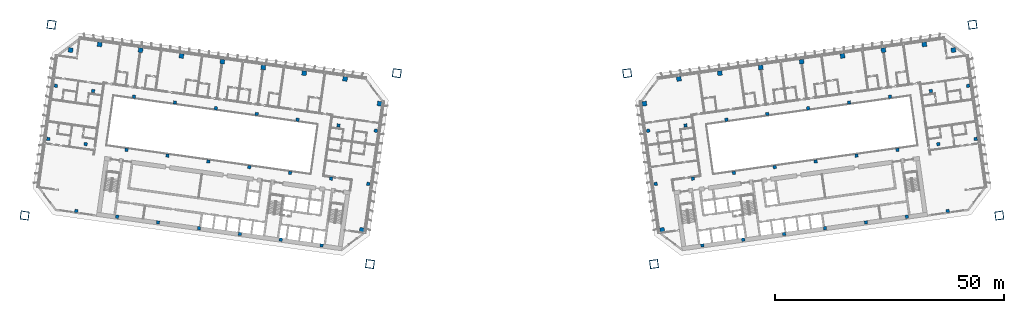
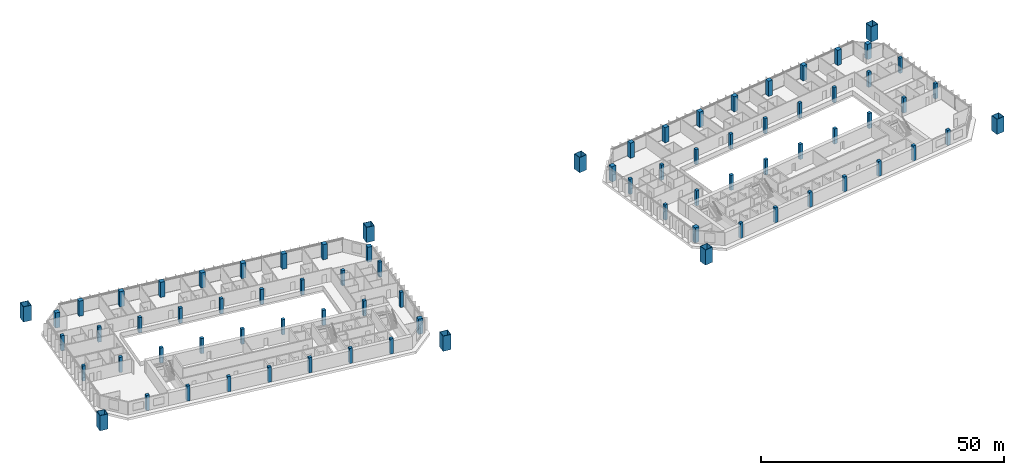
# One storey, part 1 of 24: 78 columns.
"""IFC4 building model written with IfcOpenShell, lengths in metres."""

from ifc_helpers import new_model, si_unit, direction, frame, origin, origin_2d, place, context, subcontext, project, spatial, rectangle, hollow_rectangle, extrude, material, material_profile, profile_set, type_object, element, save


model = new_model("IFC4")

# Units and contexts
model_context = context("Model", 3, precision=1e-05, world=origin(), true_north=direction((0.0, 1.0)))
body_context = subcontext(model_context, "Body", "Model", "MODEL_VIEW")
ifc_project = project(units=[si_unit("LENGTHUNIT", "METRE"), si_unit("AREAUNIT", "SQUARE_METRE"), si_unit("VOLUMEUNIT", "CUBIC_METRE"), si_unit("PLANEANGLEUNIT", "RADIAN"), si_unit("MASSUNIT", "GRAM", prefix="KILO")], contexts=[model_context])

# Site, building, storey
site_placement = place(None, origin())
site = spatial("IfcSite", under=ifc_project, at=site_placement, CompositionType="ELEMENT")
building_placement = place(site_placement, origin())
building = spatial("IfcBuilding", under=site, at=building_placement, Name="Mirante Cascada Hotel Towers", CompositionType="ELEMENT")
storey_placement = place(building_placement, frame((0.0, 0.0, 50.9)))
storey = spatial("IfcBuildingStorey", under=building, at=storey_placement, Name="L09", CompositionType="ELEMENT", Elevation=50.9)

# Columns
ifc_material_1 = material(Name="Steel ASTM A572 Gr 50", Category="steel")
ifc_material_profile_1 = material_profile(ifc_material_1, hollow_rectangle(XDim=1.8, YDim=1.8, WallThickness=0.08, at=origin_2d()), Name="Box column 1800x1800x80 ASTM A572 Gr 50")
ifc_profile_set_1 = profile_set([ifc_material_profile_1], Name="Steel ASTM A572 Gr 50")
column_type_1 = type_object("IfcColumnType", Name="Box column 1800x1800x80 ASTM A572 Gr 50", PredefinedType="COLUMN", material=ifc_profile_set_1)
for number, where, z_axis, x_axis, name in (
    (1, (-25.0968, 18.5173, 0.0), (0.0, 0.0, 1.0), (-0.9902681, 0.1391731, 0.0), "Mega column MC1 T1 L09"),
    (2, (-30.9421, -23.074, 0.0), (0.0, 0.0, 1.0), (-0.9902681, 0.1391731, 0.0), "Mega column MC2 T1 L09"),
    (3, (-100.3572, 29.0944, 0.0), (0.0, 0.0, 1.0), (-0.9902681, 0.1391731, 0.0), "Mega column MC3 T1 L09"),
    (4, (-106.2025, -12.4968, 0.0), (0.0, 0.0, 1.0), (-0.9902681, 0.1391731, 0.0), "Mega column MC4 T1 L09"),
    (5, (25.0968, 18.5173, 0.0), (0.0, 0.0, 1.0), (0.9902681, 0.1391731, 0.0), "Mega column MC1 T2 L09"),
    (6, (30.9421, -23.074, 0.0), (0.0, 0.0, 1.0), (0.9902681, 0.1391731, 0.0), "Mega column MC2 T2 L09"),
    (7, (100.3572, 29.0944, 0.0), (0.0, 0.0, 1.0), (0.9902681, 0.1391731, 0.0), "Mega column MC3 T2 L09"),
    (8, (106.2025, -12.4968, 0.0), (0.0, 0.0, 1.0), (0.9902681, 0.1391731, 0.0), "Mega column MC4 T2 L09"),
):
    element("IfcColumn", number, at=place(storey_placement, frame(where, z_axis=z_axis, x_axis=x_axis)), inside=storey, type_object=column_type_1, Name=name, PredefinedType="COLUMN", context=body_context, shape_type="SweptSolid", body=[
        extrude(hollow_rectangle(XDim=1.8, YDim=1.8, WallThickness=0.08, at=origin_2d()), origin(), (0.0, 0.0, 1.0), 3.8),
    ])
ifc_material_2 = material(Name="Concrete C60/75", Category="concrete")
ifc_material_profile_2 = material_profile(ifc_material_2, rectangle(XDim=1.0, YDim=1.0, at=origin_2d()), Name="RC column 1000x1000 C60/75")
ifc_profile_set_2 = profile_set([ifc_material_profile_2], Name="Concrete C60/75")
column_type_2 = type_object("IfcColumnType", Name="RC column 1000x1000 C60/75", PredefinedType="COLUMN", material=ifc_profile_set_2)
for number, where, z_axis, x_axis, name in (
    (9, (-28.8577, 11.8761, 0.0), (0.0, 0.0, 1.0), (-0.9902681, 0.1391731, 0.0), "Column T1 L09 1"),
    (10, (-32.7267, -15.6534, 0.0), (0.0, 0.0, 1.0), (-0.9902681, 0.1391731, 0.0), "Column T1 L09 4"),
    (11, (-36.3795, 17.2754, 0.0), (0.0, 0.0, 1.0), (-0.9902681, 0.1391731, 0.0), "Column T1 L09 5"),
    (12, (-45.2919, 18.528, 0.0), (0.0, 0.0, 1.0), (-0.9902681, 0.1391731, 0.0), "Column T1 L09 9"),
    (13, (-54.2043, 19.7806, 0.0), (0.0, 0.0, 1.0), (-0.9902681, 0.1391731, 0.0), "Column T1 L09 13"),
    (14, (-63.1167, 21.0331, 0.0), (0.0, 0.0, 1.0), (-0.9902681, 0.1391731, 0.0), "Column T1 L09 17"),
    (15, (-72.0291, 22.2857, 0.0), (0.0, 0.0, 1.0), (-0.9902681, 0.1391731, 0.0), "Column T1 L09 21"),
    (16, (-80.9415, 23.5382, 0.0), (0.0, 0.0, 1.0), (-0.9902681, 0.1391731, 0.0), "Column T1 L09 25"),
    (17, (-89.8539, 24.7908, 0.0), (0.0, 0.0, 1.0), (-0.9902681, 0.1391731, 0.0), "Column T1 L09 29"),
    (18, (-96.1868, 23.5602, 0.0), (0.0, 0.0, 1.0), (-0.9902681, 0.1391731, 0.0), "Column T1 L09 33"),
    (19, (28.8577, 11.8761, 0.0), (0.0, 0.0, 1.0), (0.9902681, 0.1391731, 0.0), "Column T2 L09 1"),
    (20, (32.7267, -15.6534, 0.0), (0.0, 0.0, 1.0), (0.9902681, 0.1391731, 0.0), "Column T2 L09 4"),
    (21, (36.3795, 17.2754, 0.0), (0.0, 0.0, 1.0), (0.9902681, 0.1391731, 0.0), "Column T2 L09 5"),
    (22, (45.2919, 18.528, 0.0), (0.0, 0.0, 1.0), (0.9902681, 0.1391731, 0.0), "Column T2 L09 9"),
    (23, (54.2043, 19.7806, 0.0), (0.0, 0.0, 1.0), (0.9902681, 0.1391731, 0.0), "Column T2 L09 13"),
    (24, (63.1167, 21.0331, 0.0), (0.0, 0.0, 1.0), (0.9902681, 0.1391731, 0.0), "Column T2 L09 17"),
    (25, (72.0291, 22.2857, 0.0), (0.0, 0.0, 1.0), (0.9902681, 0.1391731, 0.0), "Column T2 L09 21"),
    (26, (80.9415, 23.5382, 0.0), (0.0, 0.0, 1.0), (0.9902681, 0.1391731, 0.0), "Column T2 L09 25"),
    (27, (89.8539, 24.7908, 0.0), (0.0, 0.0, 1.0), (0.9902681, 0.1391731, 0.0), "Column T2 L09 29"),
    (28, (96.1868, 23.5602, 0.0), (0.0, 0.0, 1.0), (0.9902681, 0.1391731, 0.0), "Column T2 L09 33"),
):
    element("IfcColumn", number, at=place(storey_placement, frame(where, z_axis=z_axis, x_axis=x_axis)), inside=storey, type_object=column_type_2, Name=name, PredefinedType="COLUMN", context=body_context, shape_type="SweptSolid", body=[
        extrude(rectangle(XDim=1.0, YDim=1.0, at=origin_2d()), origin(), (0.0, 0.0, 1.0), 3.8),
    ])
ifc_material_3 = material(Name="Concrete C60/75", Category="concrete")
ifc_material_profile_3 = material_profile(ifc_material_3, rectangle(XDim=0.7, YDim=0.7, at=origin_2d()), Name="RC column 700x700 C60/75")
ifc_profile_set_3 = profile_set([ifc_material_profile_3], Name="Concrete C60/75")
column_type_3 = type_object("IfcColumnType", Name="RC column 700x700 C60/75", PredefinedType="COLUMN", material=ifc_profile_set_3)
for number, where, z_axis, x_axis, name in (
    (29, (-29.6858, 5.984, 0.0), (0.0, 0.0, 1.0), (-0.9902681, 0.1391731, 0.0), "Column T1 L09 2"),
    (30, (-31.3141, -5.6022, 0.0), (0.0, 0.0, 1.0), (-0.9902681, 0.1391731, 0.0), "Column T1 L09 3"),
    (31, (-37.806, 7.1252, 0.0), (0.0, 0.0, 1.0), (-0.9902681, 0.1391731, 0.0), "Column T1 L09 6"),
    (32, (-39.4343, -4.4609, 0.0), (0.0, 0.0, 1.0), (-0.9902681, 0.1391731, 0.0), "Column T1 L09 7"),
    (33, (-41.4802, -19.0179, 0.0), (0.0, 0.0, 1.0), (-0.9902681, 0.1391731, 0.0), "Column T1 L09 8"),
    (34, (-46.7184, 8.3777, 0.0), (0.0, 0.0, 1.0), (-0.9902681, 0.1391731, 0.0), "Column T1 L09 10"),
    (35, (-48.3467, -3.2084, 0.0), (0.0, 0.0, 1.0), (-0.9902681, 0.1391731, 0.0), "Column T1 L09 11"),
    (36, (-50.3926, -17.7653, 0.0), (0.0, 0.0, 1.0), (-0.9902681, 0.1391731, 0.0), "Column T1 L09 12"),
    (37, (-55.6308, 9.6303, 0.0), (0.0, 0.0, 1.0), (-0.9902681, 0.1391731, 0.0), "Column T1 L09 14"),
    (38, (-57.2591, -1.9558, 0.0), (0.0, 0.0, 1.0), (-0.9902681, 0.1391731, 0.0), "Column T1 L09 15"),
    (39, (-59.305, -16.5128, 0.0), (0.0, 0.0, 1.0), (-0.9902681, 0.1391731, 0.0), "Column T1 L09 16"),
    (40, (-64.5432, 10.8829, 0.0), (0.0, 0.0, 1.0), (-0.9902681, 0.1391731, 0.0), "Column T1 L09 18"),
    (41, (-66.1716, -0.7033, 0.0), (0.0, 0.0, 1.0), (-0.9902681, 0.1391731, 0.0), "Column T1 L09 19"),
    (42, (-68.2174, -15.2602, 0.0), (0.0, 0.0, 1.0), (-0.9902681, 0.1391731, 0.0), "Column T1 L09 20"),
    (43, (-73.4556, 12.1354, 0.0), (0.0, 0.0, 1.0), (-0.9902681, 0.1391731, 0.0), "Column T1 L09 22"),
    (44, (-75.084, 0.5493, 0.0), (0.0, 0.0, 1.0), (-0.9902681, 0.1391731, 0.0), "Column T1 L09 23"),
    (45, (-77.1298, -14.0077, 0.0), (0.0, 0.0, 1.0), (-0.9902681, 0.1391731, 0.0), "Column T1 L09 24"),
    (46, (-82.368, 13.388, 0.0), (0.0, 0.0, 1.0), (-0.9902681, 0.1391731, 0.0), "Column T1 L09 26"),
    (47, (-83.9964, 1.8018, 0.0), (0.0, 0.0, 1.0), (-0.9902681, 0.1391731, 0.0), "Column T1 L09 27"),
    (48, (-86.0422, -12.7551, 0.0), (0.0, 0.0, 1.0), (-0.9902681, 0.1391731, 0.0), "Column T1 L09 28"),
    (49, (-91.2805, 14.6405, 0.0), (0.0, 0.0, 1.0), (-0.9902681, 0.1391731, 0.0), "Column T1 L09 30"),
    (50, (-92.9088, 3.0544, 0.0), (0.0, 0.0, 1.0), (-0.9902681, 0.1391731, 0.0), "Column T1 L09 31"),
    (51, (-94.9546, -11.5025, 0.0), (0.0, 0.0, 1.0), (-0.9902681, 0.1391731, 0.0), "Column T1 L09 32"),
    (52, (-99.4007, 15.7818, 0.0), (0.0, 0.0, 1.0), (-0.9902681, 0.1391731, 0.0), "Column T1 L09 34"),
    (53, (-101.029, 4.1956, 0.0), (0.0, 0.0, 1.0), (-0.9902681, 0.1391731, 0.0), "Column T1 L09 35"),
    (54, (29.6858, 5.984, 0.0), (0.0, 0.0, 1.0), (0.9902681, 0.1391731, 0.0), "Column T2 L09 2"),
    (55, (31.3141, -5.6022, 0.0), (0.0, 0.0, 1.0), (0.9902681, 0.1391731, 0.0), "Column T2 L09 3"),
    (56, (37.806, 7.1252, 0.0), (0.0, 0.0, 1.0), (0.9902681, 0.1391731, 0.0), "Column T2 L09 6"),
    (57, (39.4343, -4.4609, 0.0), (0.0, 0.0, 1.0), (0.9902681, 0.1391731, 0.0), "Column T2 L09 7"),
    (58, (41.4802, -19.0179, 0.0), (0.0, 0.0, 1.0), (0.9902681, 0.1391731, 0.0), "Column T2 L09 8"),
    (59, (46.7184, 8.3777, 0.0), (0.0, 0.0, 1.0), (0.9902681, 0.1391731, 0.0), "Column T2 L09 10"),
    (60, (48.3467, -3.2084, 0.0), (0.0, 0.0, 1.0), (0.9902681, 0.1391731, 0.0), "Column T2 L09 11"),
    (61, (50.3926, -17.7653, 0.0), (0.0, 0.0, 1.0), (0.9902681, 0.1391731, 0.0), "Column T2 L09 12"),
    (62, (55.6308, 9.6303, 0.0), (0.0, 0.0, 1.0), (0.9902681, 0.1391731, 0.0), "Column T2 L09 14"),
    (63, (57.2591, -1.9558, 0.0), (0.0, 0.0, 1.0), (0.9902681, 0.1391731, 0.0), "Column T2 L09 15"),
    (64, (59.305, -16.5128, 0.0), (0.0, 0.0, 1.0), (0.9902681, 0.1391731, 0.0), "Column T2 L09 16"),
    (65, (64.5432, 10.8829, 0.0), (0.0, 0.0, 1.0), (0.9902681, 0.1391731, 0.0), "Column T2 L09 18"),
    (66, (66.1716, -0.7033, 0.0), (0.0, 0.0, 1.0), (0.9902681, 0.1391731, 0.0), "Column T2 L09 19"),
    (67, (68.2174, -15.2602, 0.0), (0.0, 0.0, 1.0), (0.9902681, 0.1391731, 0.0), "Column T2 L09 20"),
    (68, (73.4556, 12.1354, 0.0), (0.0, 0.0, 1.0), (0.9902681, 0.1391731, 0.0), "Column T2 L09 22"),
    (69, (75.084, 0.5493, 0.0), (0.0, 0.0, 1.0), (0.9902681, 0.1391731, 0.0), "Column T2 L09 23"),
    (70, (77.1298, -14.0077, 0.0), (0.0, 0.0, 1.0), (0.9902681, 0.1391731, 0.0), "Column T2 L09 24"),
    (71, (82.368, 13.388, 0.0), (0.0, 0.0, 1.0), (0.9902681, 0.1391731, 0.0), "Column T2 L09 26"),
    (72, (83.9964, 1.8018, 0.0), (0.0, 0.0, 1.0), (0.9902681, 0.1391731, 0.0), "Column T2 L09 27"),
    (73, (86.0422, -12.7551, 0.0), (0.0, 0.0, 1.0), (0.9902681, 0.1391731, 0.0), "Column T2 L09 28"),
    (74, (91.2805, 14.6405, 0.0), (0.0, 0.0, 1.0), (0.9902681, 0.1391731, 0.0), "Column T2 L09 30"),
    (75, (92.9088, 3.0544, 0.0), (0.0, 0.0, 1.0), (0.9902681, 0.1391731, 0.0), "Column T2 L09 31"),
    (76, (94.9546, -11.5025, 0.0), (0.0, 0.0, 1.0), (0.9902681, 0.1391731, 0.0), "Column T2 L09 32"),
    (77, (99.4007, 15.7818, 0.0), (0.0, 0.0, 1.0), (0.9902681, 0.1391731, 0.0), "Column T2 L09 34"),
    (78, (101.029, 4.1956, 0.0), (0.0, 0.0, 1.0), (0.9902681, 0.1391731, 0.0), "Column T2 L09 35"),
):
    element("IfcColumn", number, at=place(storey_placement, frame(where, z_axis=z_axis, x_axis=x_axis)), inside=storey, type_object=column_type_3, Name=name, PredefinedType="COLUMN", context=body_context, shape_type="SweptSolid", body=[
        extrude(rectangle(XDim=0.7, YDim=0.7, at=origin_2d()), origin(), (0.0, 0.0, 1.0), 3.8),
    ])

save(model, "model.ifc")
